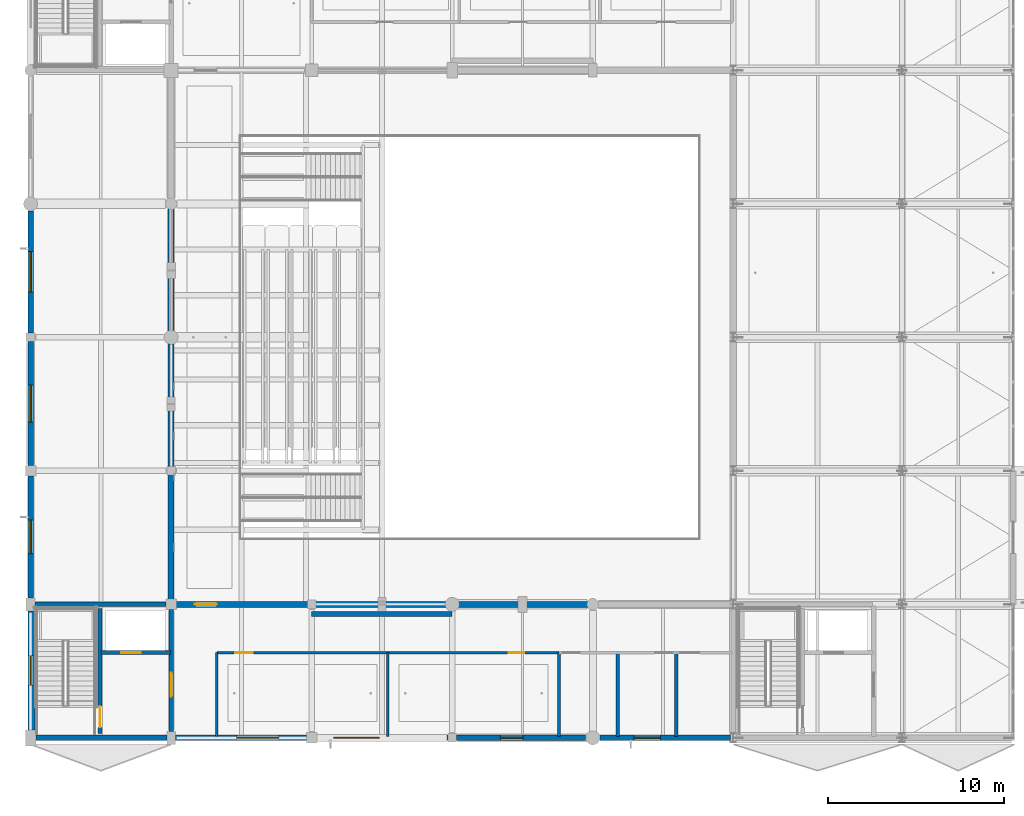
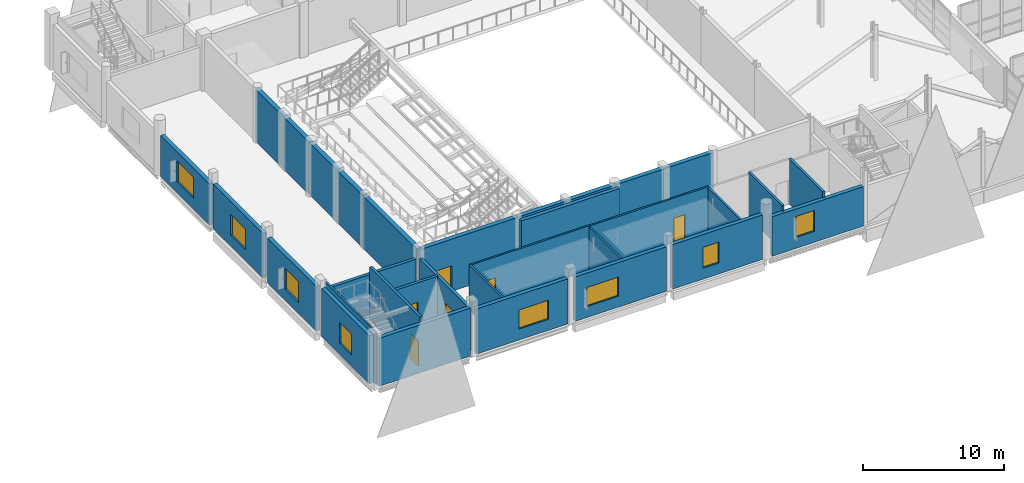
# One storey, part 85 of 147: 28 walls, 8 windows, 6 doors, 14 openings.
"""IFC4 building model written with IfcOpenShell, lengths in metres."""

from ifc_helpers import new_model, si_unit, direction, frame, frame_2d, origin, place, context, subcontext, project, spatial, rectangle, extrude, material, layer, layer_set, type_object, element, fill, save


model = new_model("IFC4")

# Units and contexts
model_context = context("Model", 3, precision=1e-05, world=origin(), true_north=direction((0.0, 1.0)))
body_context = subcontext(model_context, "Body", "Model", "MODEL_VIEW")
ifc_project = project(units=[si_unit("LENGTHUNIT", "METRE"), si_unit("AREAUNIT", "SQUARE_METRE"), si_unit("VOLUMEUNIT", "CUBIC_METRE"), si_unit("PLANEANGLEUNIT", "RADIAN"), si_unit("MASSUNIT", "GRAM", prefix="KILO")], contexts=[model_context])

# Site, building, storey
site_placement = place(None, origin())
site = spatial("IfcSite", under=ifc_project, at=site_placement, CompositionType="ELEMENT")
building_placement = place(site_placement, origin())
building = spatial("IfcBuilding", under=site, at=building_placement, Name="Khelvaren Railside Concert Hall", CompositionType="ELEMENT")
storey_placement = place(building_placement, frame((0.0, 0.0, 5.39990234375)))
storey = spatial("IfcBuildingStorey", under=building, at=storey_placement, Name="L01", CompositionType="ELEMENT", Elevation=5.39990234375)

# Walls
ifc_material_1 = material(Name="Concrete C40/50", Category="concrete")
ifc_layer_1 = layer(ifc_material_1, 0.139892578125)
ifc_layer_set_1 = layer_set([ifc_layer_1], Name="Concrete C40/50")
wall_type_1 = type_object("IfcWallType", Name="CW17", PredefinedType="SOLIDWALL", material=ifc_layer_set_1)
wall_1_placement = place(storey_placement, frame((0.27490234375, 0.14990234375, 0.0), z_axis=(0.0, 0.0, 1.0), x_axis=(0.0, 1.0, 0.0)))
element("IfcWall", 1, at=wall_1_placement, inside=storey, type_object=wall_type_1, Name="Core Shaft Structural Liner Wall ST-01-L01", PredefinedType="SOLIDWALL", context=body_context, shape_type="SweptSolid", body=[
    extrude(rectangle(XDim=7.300048828125, YDim=0.139892578125, at=frame_2d((3.64990234375, 0.0))), origin(), (0.0, 0.0, 1.0), 4.510009765625),
])
ifc_layer_2 = layer(ifc_material_1, 0.25)
ifc_layer_set_2 = layer_set([ifc_layer_2], Name="Concrete C40/50")
wall_type_2 = type_object("IfcWallType", Name="CW82", PredefinedType="SOLIDWALL", material=ifc_layer_set_2)
wall_2_placement = place(storey_placement, frame((0.25, 7.60009765625, 0.0), z_axis=(0.0, 0.0, 1.0), x_axis=(1.0, 0.0, 0.0)))
element("IfcWall", 2, at=wall_2_placement, inside=storey, type_object=wall_type_2, Name="Core Enclosure Wall CWALL-ST-01-L01-N", PredefinedType="SOLIDWALL", context=body_context, shape_type="SweptSolid", body=[
    extrude(rectangle(XDim=7.449951171875, YDim=0.25, at=frame_2d((3.72509765625, 0.0))), origin(), (0.0, 0.0, 1.0), 3.760009765625),
])

# Wall, opening, door
wall_3_placement = place(storey_placement, frame((8.0, 0.375, 0.0), z_axis=(0.0, 0.0, 1.0), x_axis=(0.0, 1.0, 0.0)))
wall_3 = element("IfcWall", 3, at=wall_3_placement, inside=storey, type_object=wall_type_2, Name="Core Enclosure Wall CWALL-ST-01-L01-E", PredefinedType="SOLIDWALL", context=body_context, shape_type="SweptSolid", body=[
    extrude(rectangle(XDim=6.925048828125, YDim=0.25, at=frame_2d((3.46240234375, 0.0))), origin(), (0.0, 0.0, 1.0), 3.840087890625),
])
opening_1_placement = place(wall_3_placement, frame((1.97509765625, 0.0, 0.0)))
opening_1 = element("IfcOpeningElement", 4, at=opening_1_placement, cuts=wall_3, Name="Opening FDR34", PredefinedType="OPENING", context=body_context, shape_type="SweptSolid", body=[
    extrude(rectangle(XDim=1.35009765625, YDim=2.199951171875, at=frame_2d((0.675048828125, 1.10009765625))), frame((0.0, 0.135009765625, 0.0), z_axis=(0.0, -1.0, 0.0), x_axis=(1.0, 0.0, 0.0)), (0.0, 0.0, 1.0), 0.27001953125),
])
ifc_material_2 = material(Name="Acoustic fire-rated timber-core steel frame door", Category="steel")
door_type_1 = type_object("IfcDoorType", Name="FDR34", OperationType="NOTDEFINED", PredefinedType="DOOR", material=ifc_material_2)
door_1_placement = place(opening_1_placement, origin())
door_1 = element("IfcDoor", 5, at=door_1_placement, inside=storey, type_object=door_type_1, Name="Interior Door DR-ST-01-L01-LOB", OperationType="SINGLE_SWING_LEFT", OverallHeight=2.199951171875, OverallWidth=1.35009765625, PredefinedType="DOOR", context=body_context, shape_type="SweptSolid", body=[
    extrude(rectangle(XDim=1.35009765625, YDim=2.199951171875, at=frame_2d((0.675048828125, 1.10009765625))), frame((0.0, 0.02490234375, 0.0), z_axis=(0.0, -1.0, 0.0), x_axis=(1.0, 0.0, 0.0)), (0.0, 0.0, 1.0), 0.050048828125),
])
fill(opening_1, door_1)

ifc_layer_3 = layer(ifc_material_1, 0.219970703125)
ifc_layer_set_3 = layer_set([ifc_layer_3], Name="Concrete C40/50")
wall_type_3 = type_object("IfcWallType", Name="CW97", PredefinedType="SOLIDWALL", material=ifc_layer_set_3)
wall_4_placement = place(storey_placement, frame((3.949951171875, 0.25, 0.0), z_axis=(0.0, 0.0, 1.0), x_axis=(0.0, 1.0, 0.0)))
wall_4 = element("IfcWall", 6, at=wall_4_placement, inside=storey, type_object=wall_type_3, Name="Core Enclosure Wall CWALL-ST-01-L01-MID", PredefinedType="SOLIDWALL", context=body_context, shape_type="SweptSolid", body=[
    extrude(rectangle(XDim=7.10009765625, YDim=0.219970703125, at=frame_2d((3.550048828125, 0.0))), origin(), (0.0, 0.0, 1.0), 4.510009765625),
])
opening_2_placement = place(wall_4_placement, frame((0.35009765625, 0.0, 0.0)))
opening_2 = element("IfcOpeningElement", 7, at=opening_2_placement, cuts=wall_4, Name="Opening FDR17", PredefinedType="OPENING", context=body_context, shape_type="SweptSolid", body=[
    extrude(rectangle(XDim=1.199951171875, YDim=2.14990234375, at=frame_2d((0.60009765625, 1.074951171875))), frame((0.0, 0.119873046875, 0.0), z_axis=(0.0, -1.0, 0.0), x_axis=(1.0, 0.0, 0.0)), (0.0, 0.0, 1.0), 0.239990234375),
])
door_type_2 = type_object("IfcDoorType", Name="FDR17", OperationType="NOTDEFINED", PredefinedType="DOOR", material=ifc_material_2)
door_2_placement = place(opening_2_placement, origin())
door_2 = element("IfcDoor", 8, at=door_2_placement, inside=storey, type_object=door_type_2, Name="Interior Door DR-ST-01-L01-ST", OperationType="SINGLE_SWING_RIGHT", OverallHeight=2.14990234375, OverallWidth=1.199951171875, PredefinedType="DOOR", context=body_context, shape_type="SweptSolid", body=[
    extrude(rectangle(XDim=1.199951171875, YDim=2.14990234375, at=frame_2d((0.60009765625, 1.074951171875))), frame((0.0, 0.02490234375, 0.0), z_axis=(0.0, -1.0, 0.0), x_axis=(1.0, 0.0, 0.0)), (0.0, 0.0, 1.0), 0.050048828125),
])
fill(opening_2, door_2)

wall_5_placement = place(storey_placement, frame((4.02001953125, 4.85009765625, 0.0), z_axis=(0.0, 0.0, 1.0), x_axis=(1.0, 0.0, 0.0)))
wall_5 = element("IfcWall", 9, at=wall_5_placement, inside=storey, type_object=wall_type_3, Name="Core Enclosure Wall CWALL-ST-01-L01-SHF", PredefinedType="SOLIDWALL", context=body_context, shape_type="SweptSolid", body=[
    extrude(rectangle(XDim=3.929931640625, YDim=0.219970703125, at=frame_2d((1.96484375, 0.0))), origin(), (0.0, 0.0, 1.0), 3.885009765625),
])
opening_3_placement = place(wall_5_placement, frame((1.14990234375, 0.0, 0.0)))
opening_3 = element("IfcOpeningElement", 10, at=opening_3_placement, cuts=wall_5, Name="Opening LD-PL-06", PredefinedType="OPENING", context=body_context, shape_type="SweptSolid", body=[
    extrude(rectangle(XDim=1.10009765625, YDim=2.199951171875, at=frame_2d((0.550048828125, 1.10009765625))), frame((0.0, 0.119873046875, 0.0), z_axis=(0.0, -1.0, 0.0), x_axis=(1.0, 0.0, 0.0)), (0.0, 0.0, 1.0), 0.239990234375),
])
ifc_material_3 = material(Name="Fire-rated brushed stainless steel landing door", Category="steel")
door_type_3 = type_object("IfcDoorType", Name="LD96", OperationType="DOUBLE_DOOR_SLIDING", PredefinedType="DOOR", material=ifc_material_3)
door_3_placement = place(opening_3_placement, origin())
door_3 = element("IfcDoor", 11, at=door_3_placement, inside=storey, type_object=door_type_3, Name="Lift Landing Door LD-PL-06-L01", OperationType="DOUBLE_DOOR_SLIDING", OverallHeight=2.199951171875, OverallWidth=1.10009765625, PredefinedType="DOOR", context=body_context, shape_type="SweptSolid", body=[
    extrude(rectangle(XDim=1.10009765625, YDim=2.199951171875, at=frame_2d((0.550048828125, 1.10009765625))), frame((0.0, 0.02490234375, 0.0), z_axis=(0.0, -1.0, 0.0), x_axis=(1.0, 0.0, 0.0)), (0.0, 0.0, 1.0), 0.050048828125),
])
fill(opening_3, door_3)

# Wall
ifc_material_4 = material(Name="Board-marked architectural concrete C40/50", Category="concrete")
ifc_layer_4 = layer(ifc_material_4, 0.320068359375)
ifc_layer_set_4 = layer_set([ifc_layer_4], Name="Board-marked architectural concrete C40/50")
wall_type_4 = type_object("IfcWallType", Name="EW39", PredefinedType="SOLIDWALL", material=ifc_layer_set_4)
wall_6_placement = place(storey_placement, frame((7.75, 0.0, 0.0), z_axis=(0.0, 0.0, 1.0), x_axis=(-1.0, 0.0, 0.0)))
element("IfcWall", 12, at=wall_6_placement, inside=storey, type_object=wall_type_4, Name="V1 L01 Exterior Concrete Wall S-0", PredefinedType="SOLIDWALL", context=body_context, shape_type="SweptSolid", body=[
    extrude(rectangle(XDim=7.449951171875, YDim=0.320068359375, at=frame_2d((3.72509765625, 0.0))), origin(), (0.0, 0.0, 1.0), 4.150146484375),
])

# Wall, opening, window
wall_7_placement = place(storey_placement, frame((15.699951171875, 0.0, 0.0), z_axis=(0.0, 0.0, 1.0), x_axis=(-1.0, 0.0, 0.0)))
wall_7 = element("IfcWall", 13, at=wall_7_placement, inside=storey, type_object=wall_type_4, Name="V1 L01 Exterior Concrete Wall S-8", PredefinedType="SOLIDWALL", context=body_context, shape_type="SweptSolid", body=[
    extrude(rectangle(XDim=7.449951171875, YDim=0.320068359375, at=frame_2d((3.72509765625, 0.0))), origin(), (0.0, 0.0, 1.0), 3.900146484375),
])
opening_4_placement = place(wall_7_placement, frame((1.574951171875, 0.0, 0.949951171875)))
opening_4 = element("IfcOpeningElement", 14, at=opening_4_placement, cuts=wall_7, Name="Opening WN15", PredefinedType="OPENING", context=body_context, shape_type="SweptSolid", body=[
    extrude(rectangle(XDim=2.39990234375, YDim=1.64990234375, at=frame_2d((1.199951171875, 0.824951171875))), frame((0.0, 0.169921875, 0.0), z_axis=(0.0, -1.0, 0.0), x_axis=(1.0, 0.0, 0.0)), (0.0, 0.0, 1.0), 0.340087890625),
])
ifc_material_5 = material(Name="Triple-glazed acoustic aluminium window", Category="aluminium")
window_type_1 = type_object("IfcWindowType", Name="WN15", PartitioningType="DOUBLE_PANEL_VERTICAL", PredefinedType="WINDOW", material=ifc_material_5)
window_1_placement = place(opening_4_placement, origin())
window_1 = element("IfcWindow", 15, at=window_1_placement, inside=storey, type_object=window_type_1, Name="Acoustic Facade Window EW-V1-L01-S-8", OverallHeight=1.64990234375, OverallWidth=2.39990234375, PartitioningType="DOUBLE_PANEL_VERTICAL", PredefinedType="WINDOW", context=body_context, shape_type="SweptSolid", body=[
    extrude(rectangle(XDim=2.39990234375, YDim=1.64990234375, at=frame_2d((1.199951171875, 0.824951171875))), frame((0.0, 0.030029296875, 0.0), z_axis=(0.0, -1.0, 0.0), x_axis=(1.0, 0.0, 0.0)), (0.0, 0.0, 1.0), 0.06005859375),
])
fill(opening_4, window_1)

wall_8_placement = place(storey_placement, frame((23.75, 0.0, 0.0), z_axis=(0.0, 0.0, 1.0), x_axis=(-1.0, 0.0, 0.0)))
wall_8 = element("IfcWall", 16, at=wall_8_placement, inside=storey, type_object=wall_type_4, Name="V1 L01 Exterior Concrete Wall S-16", PredefinedType="SOLIDWALL", context=body_context, shape_type="SweptSolid", body=[
    extrude(rectangle(XDim=7.449951171875, YDim=0.320068359375, at=frame_2d((3.72509765625, 0.0))), origin(), (0.0, 0.0, 1.0), 3.85009765625),
])
opening_5_placement = place(wall_8_placement, frame((3.904052734375, 0.0, 0.949951171875)))
opening_5 = element("IfcOpeningElement", 17, at=opening_5_placement, cuts=wall_8, Name="Opening WN31", PredefinedType="OPENING", context=body_context, shape_type="SweptSolid", body=[
    extrude(rectangle(XDim=2.60009765625, YDim=1.64990234375, at=frame_2d((1.300048828125, 0.824951171875))), frame((0.0, 0.169921875, 0.0), z_axis=(0.0, -1.0, 0.0), x_axis=(1.0, 0.0, 0.0)), (0.0, 0.0, 1.0), 0.340087890625),
])
window_type_2 = type_object("IfcWindowType", Name="WN31", PartitioningType="DOUBLE_PANEL_VERTICAL", PredefinedType="WINDOW", material=ifc_material_5)
window_2_placement = place(opening_5_placement, origin())
window_2 = element("IfcWindow", 18, at=window_2_placement, inside=storey, type_object=window_type_2, Name="Acoustic Facade Window EW-V1-L01-S-16", OverallHeight=1.64990234375, OverallWidth=2.60009765625, PartitioningType="DOUBLE_PANEL_VERTICAL", PredefinedType="WINDOW", context=body_context, shape_type="SweptSolid", body=[
    extrude(rectangle(XDim=2.60009765625, YDim=1.64990234375, at=frame_2d((1.300048828125, 0.824951171875))), frame((0.0, 0.030029296875, 0.0), z_axis=(0.0, -1.0, 0.0), x_axis=(1.0, 0.0, 0.0)), (0.0, 0.0, 1.0), 0.06005859375),
])
fill(opening_5, window_2)

wall_9_placement = place(storey_placement, frame((31.60009765625, 0.0, 0.0), z_axis=(0.0, 0.0, 1.0), x_axis=(-1.0, 0.0, 0.0)))
wall_9 = element("IfcWall", 19, at=wall_9_placement, inside=storey, type_object=wall_type_4, Name="V1 L01 Exterior Concrete Wall S-24", PredefinedType="SOLIDWALL", context=body_context, shape_type="SweptSolid", body=[
    extrude(rectangle(XDim=7.35009765625, YDim=0.320068359375, at=frame_2d((3.675048828125, 0.0))), origin(), (0.0, 0.0, 1.0), 3.85009765625),
])
opening_6_placement = place(wall_9_placement, frame((3.55810546875, 0.0, 0.949951171875)))
opening_6 = element("IfcOpeningElement", 20, at=opening_6_placement, cuts=wall_9, Name="Opening WN95", PredefinedType="OPENING", context=body_context, shape_type="SweptSolid", body=[
    extrude(rectangle(XDim=1.300048828125, YDim=1.800048828125, at=frame_2d((0.64990234375, 0.89990234375))), frame((0.0, 0.169921875, 0.0), z_axis=(0.0, -1.0, 0.0), x_axis=(1.0, 0.0, 0.0)), (0.0, 0.0, 1.0), 0.340087890625),
])
window_type_3 = type_object("IfcWindowType", Name="WN95", PartitioningType="SINGLE_PANEL", PredefinedType="WINDOW", material=ifc_material_5)
window_3_placement = place(opening_6_placement, origin())
window_3 = element("IfcWindow", 21, at=window_3_placement, inside=storey, type_object=window_type_3, Name="Acoustic Facade Window EW-V1-L01-S-24", OverallHeight=1.800048828125, OverallWidth=1.300048828125, PartitioningType="SINGLE_PANEL", PredefinedType="WINDOW", context=body_context, shape_type="SweptSolid", body=[
    extrude(rectangle(XDim=1.300048828125, YDim=1.800048828125, at=frame_2d((0.64990234375, 0.89990234375))), frame((0.0, 0.030029296875, 0.0), z_axis=(0.0, -1.0, 0.0), x_axis=(1.0, 0.0, 0.0)), (0.0, 0.0, 1.0), 0.06005859375),
])
fill(opening_6, window_3)

wall_10_placement = place(storey_placement, frame((39.85009765625, 0.0, 0.0), z_axis=(0.0, 0.0, 1.0), x_axis=(-1.0, 0.0, 0.0)))
wall_10 = element("IfcWall", 22, at=wall_10_placement, inside=storey, type_object=wall_type_4, Name="V1 L01 Exterior Concrete Wall S-32", PredefinedType="SOLIDWALL", context=body_context, shape_type="SweptSolid", body=[
    extrude(rectangle(XDim=7.4501953125, YDim=0.320068359375, at=frame_2d((3.72509765625, 0.0))), origin(), (0.0, 0.0, 1.0), 3.400146484375),
])
opening_7_placement = place(wall_10_placement, frame((4.006103515625, 0.0, 0.949951171875)))
opening_7 = element("IfcOpeningElement", 23, at=opening_7_placement, cuts=wall_10, Name="Opening WN64", PredefinedType="OPENING", context=body_context, shape_type="SweptSolid", body=[
    extrude(rectangle(XDim=1.5, YDim=1.800048828125, at=frame_2d((0.75, 0.89990234375))), frame((0.0, 0.169921875, 0.0), z_axis=(0.0, -1.0, 0.0), x_axis=(1.0, 0.0, 0.0)), (0.0, 0.0, 1.0), 0.340087890625),
])
window_type_4 = type_object("IfcWindowType", Name="WN64", PartitioningType="SINGLE_PANEL", PredefinedType="WINDOW", material=ifc_material_5)
window_4_placement = place(opening_7_placement, origin())
window_4 = element("IfcWindow", 24, at=window_4_placement, inside=storey, type_object=window_type_4, Name="Acoustic Facade Window EW-V1-L01-S-32", OverallHeight=1.800048828125, OverallWidth=1.5, PartitioningType="SINGLE_PANEL", PredefinedType="WINDOW", context=body_context, shape_type="SweptSolid", body=[
    extrude(rectangle(XDim=1.5, YDim=1.800048828125, at=frame_2d((0.75, 0.89990234375))), frame((0.0, 0.030029296875, 0.0), z_axis=(0.0, -1.0, 0.0), x_axis=(1.0, 0.0, 0.0)), (0.0, 0.0, 1.0), 0.06005859375),
])
fill(opening_7, window_4)

wall_11_placement = place(storey_placement, frame((0.0, 0.449951171875, 0.0), z_axis=(0.0, 0.0, 1.0), x_axis=(0.0, 1.0, 0.0)))
wall_11 = element("IfcWall", 25, at=wall_11_placement, inside=storey, type_object=wall_type_4, Name="V1 L01 Exterior Concrete Wall W-0", PredefinedType="SOLIDWALL", context=body_context, shape_type="SweptSolid", body=[
    extrude(rectangle(XDim=6.775146484375, YDim=0.320068359375, at=frame_2d((3.3876953125, 0.0))), origin(), (0.0, 0.0, 1.0), 4.14013671875),
])
opening_8_placement = place(wall_11_placement, frame((2.53759765625, 0.0, 0.949951171875)))
opening_8 = element("IfcOpeningElement", 26, at=opening_8_placement, cuts=wall_11, Name="Opening WN54", PredefinedType="OPENING", context=body_context, shape_type="SweptSolid", body=[
    extrude(rectangle(XDim=1.699951171875, YDim=1.800048828125, at=frame_2d((0.85009765625, 0.89990234375))), frame((0.0, 0.169921875, 0.0), z_axis=(0.0, -1.0, 0.0), x_axis=(1.0, 0.0, 0.0)), (0.0, 0.0, 1.0), 0.340087890625),
])
window_type_5 = type_object("IfcWindowType", Name="WN54", PartitioningType="SINGLE_PANEL", PredefinedType="WINDOW", material=ifc_material_5)
window_5_placement = place(opening_8_placement, origin())
window_5 = element("IfcWindow", 27, at=window_5_placement, inside=storey, type_object=window_type_5, Name="Acoustic Facade Window EW-V1-L01-W-0", OverallHeight=1.800048828125, OverallWidth=1.699951171875, PartitioningType="SINGLE_PANEL", PredefinedType="WINDOW", context=body_context, shape_type="SweptSolid", body=[
    extrude(rectangle(XDim=1.699951171875, YDim=1.800048828125, at=frame_2d((0.85009765625, 0.89990234375))), frame((0.0, 0.030029296875, 0.0), z_axis=(0.0, -1.0, 0.0), x_axis=(1.0, 0.0, 0.0)), (0.0, 0.0, 1.0), 0.06005859375),
])
fill(opening_8, window_5)

wall_12_placement = place(storey_placement, frame((0.0, 7.97509765625, 0.0), z_axis=(0.0, 0.0, 1.0), x_axis=(0.0, 1.0, 0.0)))
wall_12 = element("IfcWall", 28, at=wall_12_placement, inside=storey, type_object=wall_type_4, Name="V1 L01 Exterior Concrete Wall W-8", PredefinedType="SOLIDWALL", context=body_context, shape_type="SweptSolid", body=[
    extrude(rectangle(XDim=6.9248046875, YDim=0.320068359375, at=frame_2d((3.46240234375, 0.0))), origin(), (0.0, 0.0, 1.0), 3.85009765625),
])
opening_9_placement = place(wall_12_placement, frame((2.512451171875, 0.0, 0.949951171875)))
opening_9 = element("IfcOpeningElement", 29, at=opening_9_placement, cuts=wall_12, Name="Opening WN87", PredefinedType="OPENING", context=body_context, shape_type="SweptSolid", body=[
    extrude(rectangle(XDim=1.89990234375, YDim=1.800048828125, at=frame_2d((0.949951171875, 0.89990234375))), frame((0.0, 0.169921875, 0.0), z_axis=(0.0, -1.0, 0.0), x_axis=(1.0, 0.0, 0.0)), (0.0, 0.0, 1.0), 0.340087890625),
])
window_type_6 = type_object("IfcWindowType", Name="WN87", PartitioningType="DOUBLE_PANEL_VERTICAL", PredefinedType="WINDOW", material=ifc_material_5)
window_6_placement = place(opening_9_placement, origin())
window_6 = element("IfcWindow", 30, at=window_6_placement, inside=storey, type_object=window_type_6, Name="Acoustic Facade Window EW-V1-L01-W-8", OverallHeight=1.800048828125, OverallWidth=1.89990234375, PartitioningType="DOUBLE_PANEL_VERTICAL", PredefinedType="WINDOW", context=body_context, shape_type="SweptSolid", body=[
    extrude(rectangle(XDim=1.89990234375, YDim=1.800048828125, at=frame_2d((0.949951171875, 0.89990234375))), frame((0.0, 0.030029296875, 0.0), z_axis=(0.0, -1.0, 0.0), x_axis=(1.0, 0.0, 0.0)), (0.0, 0.0, 1.0), 0.06005859375),
])
fill(opening_9, window_6)

wall_13_placement = place(storey_placement, frame((0.0, 15.5, 0.0), z_axis=(0.0, 0.0, 1.0), x_axis=(0.0, 1.0, 0.0)))
wall_13 = element("IfcWall", 31, at=wall_13_placement, inside=storey, type_object=wall_type_4, Name="V1 L01 Exterior Concrete Wall W-15", PredefinedType="SOLIDWALL", context=body_context, shape_type="SweptSolid", body=[
    extrude(rectangle(XDim=7.050048828125, YDim=0.320068359375, at=frame_2d((3.52490234375, 0.0))), origin(), (0.0, 0.0, 1.0), 3.85009765625),
])
opening_10_placement = place(wall_13_placement, frame((2.47509765625, 0.0, 0.949951171875)))
opening_10 = element("IfcOpeningElement", 32, at=opening_10_placement, cuts=wall_13, Name="Opening WN14", PredefinedType="OPENING", context=body_context, shape_type="SweptSolid", body=[
    extrude(rectangle(XDim=2.10009765625, YDim=1.800048828125, at=frame_2d((1.050048828125, 0.89990234375))), frame((0.0, 0.169921875, 0.0), z_axis=(0.0, -1.0, 0.0), x_axis=(1.0, 0.0, 0.0)), (0.0, 0.0, 1.0), 0.340087890625),
])
window_type_7 = type_object("IfcWindowType", Name="WN14", PartitioningType="DOUBLE_PANEL_VERTICAL", PredefinedType="WINDOW", material=ifc_material_5)
window_7_placement = place(opening_10_placement, origin())
window_7 = element("IfcWindow", 33, at=window_7_placement, inside=storey, type_object=window_type_7, Name="Acoustic Facade Window EW-V1-L01-W-15", OverallHeight=1.800048828125, OverallWidth=2.10009765625, PartitioningType="DOUBLE_PANEL_VERTICAL", PredefinedType="WINDOW", context=body_context, shape_type="SweptSolid", body=[
    extrude(rectangle(XDim=2.10009765625, YDim=1.800048828125, at=frame_2d((1.050048828125, 0.89990234375))), frame((0.0, 0.030029296875, 0.0), z_axis=(0.0, -1.0, 0.0), x_axis=(1.0, 0.0, 0.0)), (0.0, 0.0, 1.0), 0.06005859375),
])
fill(opening_10, window_7)

wall_14_placement = place(storey_placement, frame((0.0, 23.050048828125, 0.0), z_axis=(0.0, 0.0, 1.0), x_axis=(0.0, 1.0, 0.0)))
wall_14 = element("IfcWall", 34, at=wall_14_placement, inside=storey, type_object=wall_type_4, Name="V1 L01 Exterior Concrete Wall W-23", PredefinedType="SOLIDWALL", context=body_context, shape_type="SweptSolid", body=[
    extrude(rectangle(XDim=6.949951171875, YDim=0.320068359375, at=frame_2d((3.47509765625, 0.0))), origin(), (0.0, 0.0, 1.0), 3.550048828125),
])
opening_11_placement = place(wall_14_placement, frame((2.324951171875, 0.0, 0.949951171875)))
opening_11 = element("IfcOpeningElement", 35, at=opening_11_placement, cuts=wall_14, Name="Opening WN63", PredefinedType="OPENING", context=body_context, shape_type="SweptSolid", body=[
    extrude(rectangle(XDim=2.300048828125, YDim=1.800048828125, at=frame_2d((1.14990234375, 0.89990234375))), frame((0.0, 0.169921875, 0.0), z_axis=(0.0, -1.0, 0.0), x_axis=(1.0, 0.0, 0.0)), (0.0, 0.0, 1.0), 0.340087890625),
])
window_type_8 = type_object("IfcWindowType", Name="WN63", PartitioningType="DOUBLE_PANEL_VERTICAL", PredefinedType="WINDOW", material=ifc_material_5)
window_8_placement = place(opening_11_placement, origin())
window_8 = element("IfcWindow", 36, at=window_8_placement, inside=storey, type_object=window_type_8, Name="Acoustic Facade Window EW-V1-L01-W-23", OverallHeight=1.800048828125, OverallWidth=2.300048828125, PartitioningType="DOUBLE_PANEL_VERTICAL", PredefinedType="WINDOW", context=body_context, shape_type="SweptSolid", body=[
    extrude(rectangle(XDim=2.300048828125, YDim=1.800048828125, at=frame_2d((1.14990234375, 0.89990234375))), frame((0.0, 0.030029296875, 0.0), z_axis=(0.0, -1.0, 0.0), x_axis=(1.0, 0.0, 0.0)), (0.0, 0.0, 1.0), 0.06005859375),
])
fill(opening_11, window_8)

# Walls
ifc_material_6 = material(Name="Acoustic double-stud gypsum partition", Category="gypsum")
ifc_layer_5 = layer(ifc_material_6, 0.139892578125)
ifc_layer_set_5 = layer_set([ifc_layer_5], Name="Acoustic double-stud gypsum partition")
wall_type_5 = type_object("IfcWallType", Name="PT41", PredefinedType="PARTITIONING", material=ifc_layer_set_5)
wall_15_placement = place(storey_placement, frame((20.342041015625, 0.080078125, 0.0), z_axis=(0.0, 0.0, 1.0), x_axis=(0.0, 1.0, 0.0)))
element("IfcWall", 37, at=wall_15_placement, inside=storey, type_object=wall_type_5, Name="Acoustic Partition Wall PW-V1-L01-S1-D01", PredefinedType="PARTITIONING", context=body_context, shape_type="SweptSolid", body=[
    extrude(rectangle(XDim=4.77001953125, YDim=0.139892578125, at=frame_2d((2.385009765625, 0.0))), origin(), (0.0, 0.0, 1.0), 3.760009765625),
])
ifc_layer_6 = layer(ifc_material_6, 0.179931640625)
ifc_layer_set_6 = layer_set([ifc_layer_6], Name="Acoustic double-stud gypsum partition")
wall_type_6 = type_object("IfcWallType", Name="PT53", PredefinedType="PARTITIONING", material=ifc_layer_set_6)
wall_16_placement = place(storey_placement, frame((33.424072265625, 0.080078125, 0.0), z_axis=(0.0, 0.0, 1.0), x_axis=(0.0, 1.0, 0.0)))
element("IfcWall", 38, at=wall_16_placement, inside=storey, type_object=wall_type_6, Name="Acoustic Partition Wall PW-V1-L01-S1-D03", PredefinedType="PARTITIONING", context=body_context, shape_type="SweptSolid", body=[
    extrude(rectangle(XDim=4.77001953125, YDim=0.179931640625, at=frame_2d((2.385009765625, 0.0))), origin(), (0.0, 0.0, 1.0), 3.905029296875),
])

# Wall, opening, door
ifc_layer_7 = layer(ifc_material_6, 0.14990234375)
ifc_layer_set_7 = layer_set([ifc_layer_7], Name="Acoustic double-stud gypsum partition")
wall_type_7 = type_object("IfcWallType", Name="PT72", PredefinedType="PARTITIONING", material=ifc_layer_set_7)
wall_17_placement = place(storey_placement, frame((10.60009765625, 4.85009765625, 0.0), z_axis=(0.0, 0.0, 1.0), x_axis=(1.0, 0.0, 0.0)))
wall_17 = element("IfcWall", 39, at=wall_17_placement, inside=storey, type_object=wall_type_7, Name="Acoustic Partition Wall PW-V1-L01-S1-C01", PredefinedType="PARTITIONING", context=body_context, shape_type="SweptSolid", body=[
    extrude(rectangle(XDim=9.741943359375, YDim=0.14990234375, at=frame_2d((4.87109375, 0.0))), origin(), (0.0, 0.0, 1.0), 3.864990234375),
])
opening_12_placement = place(wall_17_placement, frame((1.05029296875, 0.0, 0.0)))
opening_12 = element("IfcOpeningElement", 40, at=opening_12_placement, cuts=wall_17, Name="Opening IDR23", PredefinedType="OPENING", context=body_context, shape_type="SweptSolid", body=[
    extrude(rectangle(XDim=0.97998046875, YDim=2.050048828125, at=frame_2d((0.489990234375, 1.02490234375))), frame((0.0, 0.0849609375, 0.0), z_axis=(0.0, -1.0, 0.0), x_axis=(1.0, 0.0, 0.0)), (0.0, 0.0, 1.0), 0.169921875),
])
ifc_material_7 = material(Name="Solid oak acoustic studio door", Category="wood")
door_type_4 = type_object("IfcDoorType", Name="IDR23", OperationType="NOTDEFINED", PredefinedType="DOOR", material=ifc_material_7)
door_4_placement = place(opening_12_placement, origin())
door_4 = element("IfcDoor", 41, at=door_4_placement, inside=storey, type_object=door_type_4, Name="Interior Door DR-V1-L01-S1-01", OperationType="SINGLE_SWING_RIGHT", OverallHeight=2.050048828125, OverallWidth=0.97998046875, PredefinedType="DOOR", context=body_context, shape_type="SweptSolid", body=[
    extrude(rectangle(XDim=0.97998046875, YDim=2.050048828125, at=frame_2d((0.489990234375, 1.02490234375))), frame((0.0, 0.02490234375, 0.0), z_axis=(0.0, -1.0, 0.0), x_axis=(1.0, 0.0, 0.0)), (0.0, 0.0, 1.0), 0.050048828125),
])
fill(opening_12, door_4)

wall_18_placement = place(storey_placement, frame((20.342041015625, 4.85009765625, 0.0), z_axis=(0.0, 0.0, 1.0), x_axis=(1.0, 0.0, 0.0)))
wall_18 = element("IfcWall", 42, at=wall_18_placement, inside=storey, type_object=wall_type_7, Name="Acoustic Partition Wall PW-V1-L01-S1-C02", PredefinedType="PARTITIONING", context=body_context, shape_type="SweptSolid", body=[
    extrude(rectangle(XDim=9.741943359375, YDim=0.14990234375, at=frame_2d((4.87109375, 0.0))), origin(), (0.0, 0.0, 1.0), 3.840087890625),
])
opening_13_placement = place(wall_18_placement, frame((6.861572265625, 0.0, 0.0)))
opening_13 = element("IfcOpeningElement", 43, at=opening_13_placement, cuts=wall_18, Name="Opening IDR56", PredefinedType="OPENING", context=body_context, shape_type="SweptSolid", body=[
    extrude(rectangle(XDim=0.89990234375, YDim=2.10009765625, at=frame_2d((0.449951171875, 1.050048828125))), frame((0.0, 0.0849609375, 0.0), z_axis=(0.0, -1.0, 0.0), x_axis=(1.0, 0.0, 0.0)), (0.0, 0.0, 1.0), 0.169921875),
])
door_type_5 = type_object("IfcDoorType", Name="IDR56", OperationType="NOTDEFINED", PredefinedType="DOOR", material=ifc_material_7)
door_5_placement = place(opening_13_placement, origin())
door_5 = element("IfcDoor", 44, at=door_5_placement, inside=storey, type_object=door_type_5, Name="Interior Door DR-V1-L01-S1-02", OperationType="SINGLE_SWING_LEFT", OverallHeight=2.10009765625, OverallWidth=0.89990234375, PredefinedType="DOOR", context=body_context, shape_type="SweptSolid", body=[
    extrude(rectangle(XDim=0.89990234375, YDim=2.10009765625, at=frame_2d((0.449951171875, 1.050048828125))), frame((0.0, 0.02490234375, 0.0), z_axis=(0.0, -1.0, 0.0), x_axis=(1.0, 0.0, 0.0)), (0.0, 0.0, 1.0), 0.050048828125),
])
fill(opening_13, door_5)

# Walls
wall_19_placement = place(storey_placement, frame((10.60009765625, 0.080078125, 0.0), z_axis=(0.0, 0.0, 1.0), x_axis=(0.0, 1.0, 0.0)))
element("IfcWall", 45, at=wall_19_placement, inside=storey, type_object=wall_type_7, Name="Acoustic Partition Wall PW-V1-L01-S1-W0", PredefinedType="PARTITIONING", context=body_context, shape_type="SweptSolid", body=[
    extrude(rectangle(XDim=4.77001953125, YDim=0.14990234375, at=frame_2d((2.385009765625, 0.0))), origin(), (0.0, 0.0, 1.0), 3.880126953125),
])
ifc_layer_8 = layer(ifc_material_6, 0.199951171875)
ifc_layer_set_8 = layer_set([ifc_layer_8], Name="Acoustic double-stud gypsum partition")
wall_type_8 = type_object("IfcWallType", Name="PT75", PredefinedType="PARTITIONING", material=ifc_layer_set_8)
wall_20_placement = place(storey_placement, frame((36.763916015625, 0.080078125, 0.0), z_axis=(0.0, 0.0, 1.0), x_axis=(0.0, 1.0, 0.0)))
element("IfcWall", 46, at=wall_20_placement, inside=storey, type_object=wall_type_8, Name="Acoustic Partition Wall PW-V1-L01-S1-D04", PredefinedType="PARTITIONING", context=body_context, shape_type="SweptSolid", body=[
    extrude(rectangle(XDim=4.77001953125, YDim=0.199951171875, at=frame_2d((2.385009765625, 0.0))), origin(), (0.0, 0.0, 1.0), 3.905029296875),
])
ifc_layer_9 = layer(ifc_material_6, 0.159912109375)
ifc_layer_set_9 = layer_set([ifc_layer_9], Name="Acoustic double-stud gypsum partition")
wall_type_9 = type_object("IfcWallType", Name="PT97", PredefinedType="PARTITIONING", material=ifc_layer_set_9)
wall_21_placement = place(storey_placement, frame((30.083984375, 0.080078125, 0.0), z_axis=(0.0, 0.0, 1.0), x_axis=(0.0, 1.0, 0.0)))
element("IfcWall", 47, at=wall_21_placement, inside=storey, type_object=wall_type_9, Name="Acoustic Partition Wall PW-V1-L01-S1-D02", PredefinedType="PARTITIONING", context=body_context, shape_type="SweptSolid", body=[
    extrude(rectangle(XDim=4.77001953125, YDim=0.159912109375, at=frame_2d((2.385009765625, 0.0))), origin(), (0.0, 0.0, 1.0), 3.735107421875),
])
ifc_layer_10 = layer(ifc_material_1, 0.300048828125)
ifc_layer_set_10 = layer_set([ifc_layer_10], Name="Concrete C40/50")
wall_type_10 = type_object("IfcWallType", Name="SW62", PredefinedType="SHEAR", material=ifc_layer_set_10)
wall_22_placement = place(storey_placement, frame((16.0, 7.050048828125, 0.0), z_axis=(0.0, 0.0, 1.0), x_axis=(1.0, 0.0, 0.0)))
element("IfcWall", 48, at=wall_22_placement, inside=storey, type_object=wall_type_10, Name="V1 Outer Box Isolation Wall L01-1", PredefinedType="SHEAR", context=body_context, shape_type="SweptSolid", body=[
    extrude(rectangle(XDim=8.0, YDim=0.300048828125, at=frame_2d((4.0, 0.0))), origin(), (0.0, 0.0, 1.0), 4.510009765625),
])

# Wall, opening, door
ifc_layer_11 = layer(ifc_material_1, 0.35009765625)
ifc_layer_set_11 = layer_set([ifc_layer_11], Name="Concrete C40/50")
wall_type_11 = type_object("IfcWallType", Name="SW91", PredefinedType="SHEAR", material=ifc_layer_set_11)
wall_23_placement = place(storey_placement, frame((8.0, 7.60009765625, 0.0), z_axis=(0.0, 0.0, 1.0), x_axis=(1.0, 0.0, 0.0)))
wall_23 = element("IfcWall", 49, at=wall_23_placement, inside=storey, type_object=wall_type_11, Name="V1 Acoustic Box Shear Wall L01 S1", PredefinedType="SHEAR", context=body_context, shape_type="SweptSolid", body=[
    extrude(rectangle(XDim=8.0, YDim=0.35009765625, at=frame_2d((4.0, 0.0))), origin(), (0.0, 0.0, 1.0), 4.510009765625),
])
opening_14_placement = place(wall_23_placement, frame((1.35009765625, 0.0, 0.0)))
opening_14 = element("IfcOpeningElement", 50, at=opening_14_placement, cuts=wall_23, Name="Opening ADR42", PredefinedType="OPENING", context=body_context, shape_type="SweptSolid", body=[
    extrude(rectangle(XDim=1.25, YDim=2.199951171875, at=frame_2d((0.625, 1.10009765625))), frame((0.0, 0.18505859375, 0.0), z_axis=(0.0, -1.0, 0.0), x_axis=(1.0, 0.0, 0.0)), (0.0, 0.0, 1.0), 0.3701171875),
])
ifc_material_8 = material(Name="Heavy acoustic double sound-lock fire door", Category="wood")
door_type_6 = type_object("IfcDoorType", Name="ADR42", OperationType="DOUBLE_DOOR_SINGLE_SWING", PredefinedType="DOOR", material=ifc_material_8)
door_6_placement = place(opening_14_placement, origin())
door_6 = element("IfcDoor", 51, at=door_6_placement, inside=storey, type_object=door_type_6, Name="Main Concert Hall Acoustic Sound-Lock Door L01-S1", OperationType="DOUBLE_DOOR_SINGLE_SWING", OverallHeight=2.199951171875, OverallWidth=1.25, PredefinedType="DOOR", context=body_context, shape_type="SweptSolid", body=[
    extrude(rectangle(XDim=1.25, YDim=2.199951171875, at=frame_2d((0.625, 1.10009765625))), frame((0.0, 0.02490234375, 0.0), z_axis=(0.0, -1.0, 0.0), x_axis=(1.0, 0.0, 0.0)), (0.0, 0.0, 1.0), 0.050048828125),
])
fill(opening_14, door_6)

# Walls
for number, where, z_axis, x_axis, name in (
    (52, (16.0, 7.60009765625, 0.0), (0.0, 0.0, 1.0), (1.0, 0.0, 0.0), "V1 Acoustic Box Shear Wall L01 S2"),
    (53, (24.0, 7.60009765625, 0.0), (0.0, 0.0, 1.0), (1.0, 0.0, 0.0), "V1 Acoustic Box Shear Wall L01 S3"),
):
    element("IfcWall", number, at=place(storey_placement, frame(where, z_axis=z_axis, x_axis=x_axis)), inside=storey, type_object=wall_type_11, Name=name, PredefinedType="SHEAR", context=body_context, shape_type="SweptSolid", body=[
        extrude(rectangle(XDim=8.0, YDim=0.35009765625, at=frame_2d((4.0, 0.0))), origin(), (0.0, 0.0, 1.0), 4.510009765625),
    ])
wall_24_placement = place(storey_placement, frame((8.0, 7.60009765625, 0.0), z_axis=(0.0, 0.0, 1.0), x_axis=(0.0, 1.0, 0.0)))
element("IfcWall", 54, at=wall_24_placement, inside=storey, type_object=wall_type_11, Name="V1 Acoustic Box Shear Wall L01 W1", PredefinedType="SHEAR", context=body_context, shape_type="SweptSolid", body=[
    extrude(rectangle(XDim=7.599853515625, YDim=0.35009765625, at=frame_2d((3.7998046875, 0.0))), origin(), (0.0, 0.0, 1.0), 4.510009765625),
])
wall_25_placement = place(storey_placement, frame((8.0, 15.199951171875, 0.0), z_axis=(0.0, 0.0, 1.0), x_axis=(0.0, 1.0, 0.0)))
element("IfcWall", 55, at=wall_25_placement, inside=storey, type_object=wall_type_11, Name="V1 Acoustic Box Shear Wall L01 W2", PredefinedType="SHEAR", context=body_context, shape_type="SweptSolid", body=[
    extrude(rectangle(XDim=7.60009765625, YDim=0.35009765625, at=frame_2d((3.800048828125, 0.0))), origin(), (0.0, 0.0, 1.0), 4.510009765625),
])
wall_26_placement = place(storey_placement, frame((8.0, 22.800048828125, 0.0), z_axis=(0.0, 0.0, 1.0), x_axis=(0.0, 1.0, 0.0)))
element("IfcWall", 56, at=wall_26_placement, inside=storey, type_object=wall_type_11, Name="V1 Acoustic Box Shear Wall L01 W3", PredefinedType="SHEAR", context=body_context, shape_type="SweptSolid", body=[
    extrude(rectangle(XDim=7.599853515625, YDim=0.35009765625, at=frame_2d((3.7998046875, 0.0))), origin(), (0.0, 0.0, 1.0), 4.510009765625),
])

save(model, "model.ifc")
